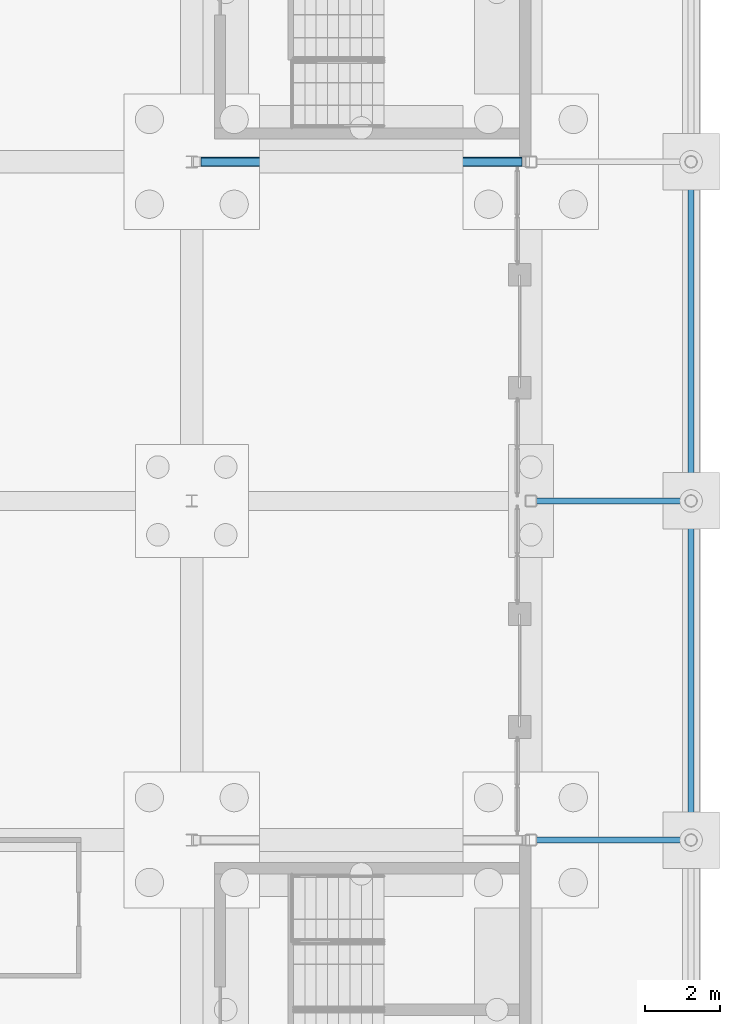
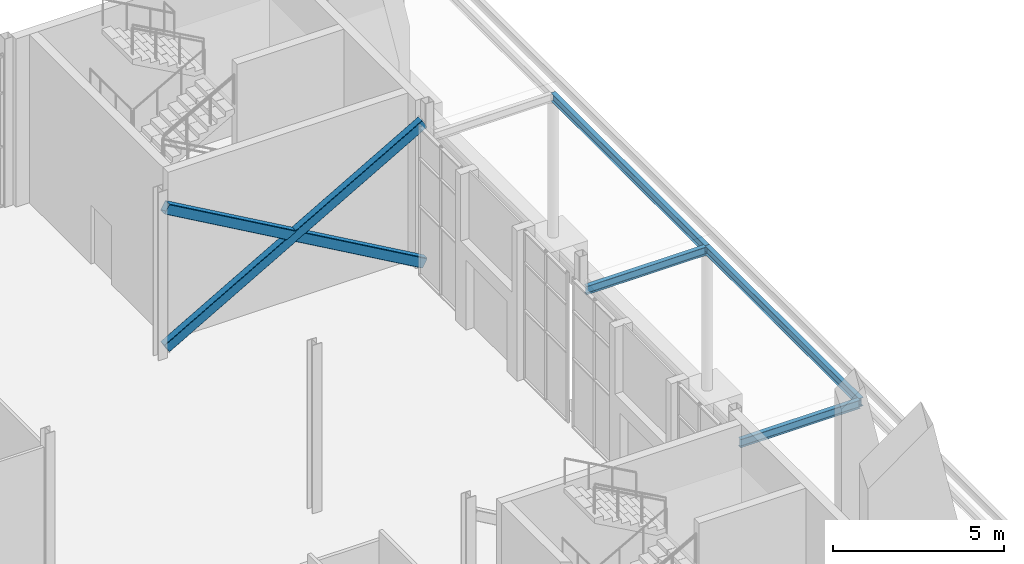
# One storey, part 87 of 139: 4 beams, 2 members.
"""IFC4 building model written with IfcOpenShell, lengths in metres."""

import ifcopenshell
import ifcopenshell.guid

model = None  # the IFC model being written
_history = None  # IfcOwnerHistory: only IFC2X3 demands one
_inside = {}  # id of a spatial element -> (the spatial element, [elements in it])
_under = {}  # id of a project, library or spatial element -> (it, [spatial elements below it])
_declared = {}  # id of a project -> (the project, [libraries it declares])
_typed = {}  # id of a type object -> (the type object, [elements of that type])
_made_of = {}  # id of a material, layer set ... -> (it, [elements and type objects made of it])


def new_model(schema):
    """Start an empty IFC model of exactly this schema.

    Asked for "IFC4X3", IfcOpenShell would pick the latest addendum, in which some entities
    have other attributes; the version numbers below select the first issue.
    IFC2X3 requires an IfcOwnerHistory on every rooted entity: one is made here for all.
    """
    global model, _history
    if schema == "IFC4X3":
        model = ifcopenshell.file(schema_version=(4, 3, 0, 0))
    else:
        model = ifcopenshell.file(schema=schema)
    _inside.clear()
    _under.clear()
    _declared.clear()
    _typed.clear()
    _made_of.clear()
    _history = None
    if model.schema == "IFC2X3":
        org = make("IfcOrganization", Name="unknown")
        user = make(
            "IfcPersonAndOrganization",
            ThePerson=make("IfcPerson", FamilyName="unknown"),
            TheOrganization=org,
        )
        app = make(
            "IfcApplication",
            ApplicationDeveloper=org,
            Version="unknown",
            ApplicationFullName="unknown",
            ApplicationIdentifier="unknown",
        )
        _history = make(
            "IfcOwnerHistory",
            OwningUser=user,
            OwningApplication=app,
            ChangeAction="ADDED",
            CreationDate=0,
        )
    return model


def make(cls, **values):
    """One entity of the class cls with the attributes given. An attribute that is None is left unset."""
    return model.create_entity(
        cls, **{name: value for name, value in values.items() if value is not None}
    )


def rooted(cls, **values):
    """An entity with a GlobalId (a new one), such as an element, a storey or a relation."""
    return make(cls, GlobalId=ifcopenshell.guid.new(), OwnerHistory=_history, **values)


def si_unit(unit_type, name, prefix=None):
    """IfcSIUnit, for example si_unit("LENGTHUNIT", "METRE", prefix="MILLI")."""
    return make("IfcSIUnit", UnitType=unit_type, Prefix=prefix, Name=name)


def assignment(units):
    """IfcUnitAssignment: the units of a project."""
    return None if units is None else make("IfcUnitAssignment", Units=units)


def point(xyz):
    """IfcCartesianPoint."""
    return None if xyz is None else make("IfcCartesianPoint", Coordinates=xyz)


def direction(xyz):
    """IfcDirection."""
    return None if xyz is None else make("IfcDirection", DirectionRatios=xyz)


def frame(location, z_axis=None, x_axis=None):
    """IfcAxis2Placement3D, a coordinate frame: its origin and axes. An axis left out is left unset."""
    return make(
        "IfcAxis2Placement3D",
        Location=point(location),
        Axis=direction(z_axis),
        RefDirection=direction(x_axis),
    )


def frame_2d(location, x_axis=None):
    """IfcAxis2Placement2D, a coordinate frame in the plane: its origin and x axis."""
    return make(
        "IfcAxis2Placement2D", Location=point(location), RefDirection=direction(x_axis)
    )


def origin():
    """The frame at (0, 0, 0) with its axes left unset."""
    return frame((0.0, 0.0, 0.0))


def origin_2d():
    """The frame at (0, 0) in the plane with its x axis left unset."""
    return frame_2d((0.0, 0.0))


def place(relative_to, where):
    """IfcLocalPlacement: puts the frame where relative to a parent placement (None: the world)."""
    return make(
        "IfcLocalPlacement", PlacementRelTo=relative_to, RelativePlacement=where
    )


def context(
    kind, dimensions, precision=None, world=None, true_north=None, identifier=None
):
    """IfcGeometricRepresentationContext, for example the 3D "Model" context."""
    return make(
        "IfcGeometricRepresentationContext",
        ContextIdentifier=identifier,
        ContextType=kind,
        CoordinateSpaceDimension=dimensions,
        Precision=precision,
        WorldCoordinateSystem=world,
        TrueNorth=true_north,
    )


def subcontext(parent, identifier, kind, view, scale=None):
    """IfcGeometricRepresentationSubContext, for example "Body" below "Model"."""
    return make(
        "IfcGeometricRepresentationSubContext",
        ContextIdentifier=identifier,
        ContextType=kind,
        ParentContext=parent,
        TargetScale=scale,
        TargetView=view,
    )


def project(units=None, contexts=None):
    """IfcProject with its units and contexts."""
    return rooted(
        "IfcProject",
        Name="project",
        RepresentationContexts=contexts,
        UnitsInContext=assignment(units),
    )


def spatial(cls, under=None, at=None, **own):
    """A site, building, storey or space (cls), placed at a placement, below another one or the project."""
    s = rooted(cls, ObjectPlacement=at, **own)
    if under is not None:
        _under.setdefault(under.id(), (under, []))[1].append(s)
    return s


def profile(cls, at=None, kind="AREA", **sizes):
    """A parametric profile (cls). Its sizes go by their IFC names, for example OverallWidth=200.0."""
    return make(cls, ProfileType=kind, Position=at, **sizes)


def hollow_rectangle(**sizes):
    """IfcRectangleHollowProfileDef."""
    return profile("IfcRectangleHollowProfileDef", **sizes)


def i_section(**sizes):
    """IfcIShapeProfileDef."""
    return profile("IfcIShapeProfileDef", **sizes)


def extrude(swept, where, along, depth):
    """IfcExtrudedAreaSolid: the profile swept, set in the frame where, extruded along a direction by depth."""
    return make(
        "IfcExtrudedAreaSolid",
        SweptArea=swept,
        Position=where,
        ExtrudedDirection=direction(along),
        Depth=depth,
    )


def shape(context_of_items, identifier, shape_type, items):
    """IfcShapeRepresentation: the items that make up one representation, for example the "Body"."""
    return make(
        "IfcShapeRepresentation",
        ContextOfItems=context_of_items,
        RepresentationIdentifier=identifier,
        RepresentationType=shape_type,
        Items=items,
    )


def material(Name=None, Category=None):
    """IfcMaterial."""
    return make("IfcMaterial", Name=Name, Category=Category)


def material_profile(
    of_material, cross_section, Name=None, Category=None, Priority=None
):
    """IfcMaterialProfile: a cross section and its material."""
    return make(
        "IfcMaterialProfile",
        Name=Name,
        Material=of_material,
        Profile=cross_section,
        Priority=Priority,
        Category=Category,
    )


def profile_set(profiles, Name=None, composite=None):
    """IfcMaterialProfileSet."""
    return make(
        "IfcMaterialProfileSet",
        Name=Name,
        MaterialProfiles=profiles,
        CompositeProfile=composite,
    )


def made_of(thing, what):
    """Note that an element or type object is made of a material, layer set ...; save() writes the relation."""
    if what is not None:
        _made_of.setdefault(what.id(), (what, []))[1].append(thing)
    return thing


def type_object(cls, material=None, **own):
    """A type object (cls), such as IfcWallType, which elements share."""
    return made_of(rooted(cls, **own), material)


def element(
    cls,
    number,
    at=None,
    inside=None,
    cuts=None,
    type_object=None,
    material=None,
    context=None,
    identifier="Body",
    shape_type=None,
    held_by="IfcProductDefinitionShape",
    body=None,
    shapes=None,
    **own,
):
    """One element of the class cls, such as IfcWall. Its Tag is "e" and its number.

    at: its placement. inside: the storey or other place that contains it. cuts: it is an
    opening in that element (IfcRelVoidsElement). A single representation is given by context,
    identifier, shape_type and body (its items); several are given by shapes. held_by: the class
    of the entity that holds the representations. save() writes the other relations.
    """
    e = rooted(cls, Tag="e%d" % number, ObjectPlacement=at, **own)
    if body is not None:
        shapes = [shape(context, identifier, shape_type, body)]
    if shapes is not None:
        e.Representation = make(held_by, Representations=shapes)
    if inside is not None:
        _inside.setdefault(inside.id(), (inside, []))[1].append(e)
    if cuts is not None:
        rooted(
            "IfcRelVoidsElement", RelatingBuildingElement=cuts, RelatedOpeningElement=e
        )
    if type_object is not None:
        _typed.setdefault(type_object.id(), (type_object, []))[1].append(e)
    return made_of(e, material)


def aggregate(whole, parts):
    """IfcRelAggregates: a whole, such as a stair, and the parts it consists of."""
    return rooted("IfcRelAggregates", RelatingObject=whole, RelatedObjects=parts)


def save(model, path):
    """Write the relations noted so far, then the file.

    IfcRelAggregates (storeys below a building ...), IfcRelContainedInSpatialStructure (elements
    in a storey), IfcRelDefinesByType, IfcRelAssociatesMaterial and IfcRelDeclares: one each for
    every whole, place, type object, material and project.
    """
    for whole, parts in _under.values():
        aggregate(whole, parts)
    for where, things in _inside.values():
        rooted(
            "IfcRelContainedInSpatialStructure",
            RelatedElements=things,
            RelatingStructure=where,
        )
    for kind, things in _typed.values():
        rooted("IfcRelDefinesByType", RelatedObjects=things, RelatingType=kind)
    for what, things in _made_of.values():
        rooted("IfcRelAssociatesMaterial", RelatedObjects=things, RelatingMaterial=what)
    for by, libraries in _declared.values():
        rooted("IfcRelDeclares", RelatingContext=by, RelatedDefinitions=libraries)
    model.write(path)


model = new_model("IFC4")

# Units and contexts
model_context = context("Model", 3, precision=1e-05, world=origin(), true_north=direction((0.0, 1.0)))
body_context = subcontext(model_context, "Body", "Model", "MODEL_VIEW")
ifc_project = project(units=[si_unit("LENGTHUNIT", "METRE"), si_unit("AREAUNIT", "SQUARE_METRE"), si_unit("VOLUMEUNIT", "CUBIC_METRE"), si_unit("PLANEANGLEUNIT", "RADIAN"), si_unit("MASSUNIT", "GRAM", prefix="KILO")], contexts=[model_context])

# Site, building, storey
site_placement = place(None, origin())
site = spatial("IfcSite", under=ifc_project, at=site_placement, CompositionType="ELEMENT")
building_placement = place(site_placement, origin())
building = spatial("IfcBuilding", under=site, at=building_placement, Name="Shorebreak Coast Museum", CompositionType="ELEMENT")
storey_placement = place(building_placement, origin())
storey = spatial("IfcBuildingStorey", under=building, at=storey_placement, Name="L00", CompositionType="ELEMENT", Elevation=0.0)

# Beams
ifc_material_1 = material(Name="Steel Grade 300", Category="steel")
ifc_material_profile_1 = material_profile(ifc_material_1, i_section(OverallWidth=0.14892578125, OverallDepth=0.298095703125, WebThickness=0.005615234375, FlangeThickness=0.008056640625, FilletRadius=0.012939453125, at=origin_2d()), Name="310UB32.0")
ifc_profile_set_1 = profile_set([ifc_material_profile_1], Name="Steel Grade 300")
beam_type_1 = type_object("IfcBeamType", Name="Arcade edge beam 310UB32.0", PredefinedType="BEAM", material=ifc_profile_set_1)
for number, where, z_axis, x_axis, name in (
    (1, (175.25, 63.0, 4.65087890625), (0.0, 1.0, 0.0), (-1.0, 0.0, 0.0), "Arcade edge beam east 2"),
    (2, (175.25, 72.0, 4.65087890625), (0.0, 1.0, 0.0), (-1.0, 0.0, 0.0), "Arcade edge beam east 3"),
):
    element("IfcBeam", number, at=place(storey_placement, frame(where, z_axis=z_axis, x_axis=x_axis)), inside=storey, type_object=beam_type_1, Name=name, PredefinedType="BEAM", context=body_context, shape_type="SweptSolid", body=[
        extrude(i_section(OverallWidth=0.14892578125, OverallDepth=0.298095703125, WebThickness=0.005615234375, FlangeThickness=0.008056640625, FilletRadius=0.012939453125, at=origin_2d()), origin(), (0.0, 0.0, 1.0), 9.0),
    ])
ifc_material_2 = material(Name="Steel Grade 300", Category="steel")
ifc_material_profile_2 = material_profile(ifc_material_2, i_section(OverallWidth=0.14892578125, OverallDepth=0.298095703125, WebThickness=0.005615234375, FlangeThickness=0.008056640625, FilletRadius=0.012939453125, at=origin_2d()), Name="310UB32.0")
ifc_profile_set_2 = profile_set([ifc_material_profile_2], Name="Steel Grade 300")
beam_type_2 = type_object("IfcBeamType", Name="Arcade primary beam 310UB32.0", PredefinedType="BEAM", material=ifc_profile_set_2)
for number, where, z_axis, x_axis, name in (
    (3, (171.14990234375, 63.0, 4.65087890625), (1.0, 0.0, 0.0), (0.0, 1.0, 0.0), "Arcade primary beam east 2"),
    (4, (171.14990234375, 72.0, 4.65087890625), (1.0, 0.0, 0.0), (0.0, 1.0, 0.0), "Arcade primary beam east 3"),
):
    element("IfcBeam", number, at=place(storey_placement, frame(where, z_axis=z_axis, x_axis=x_axis)), inside=storey, type_object=beam_type_2, Name=name, PredefinedType="BEAM", context=body_context, shape_type="SweptSolid", body=[
        extrude(i_section(OverallWidth=0.14892578125, OverallDepth=0.298095703125, WebThickness=0.005615234375, FlangeThickness=0.008056640625, FilletRadius=0.012939453125, at=origin_2d()), origin(), (0.0, 0.0, 1.0), 4.025634765625),
    ])

# Members
ifc_material_3 = material(Name="Steel Grade C450L0", Category="steel")
ifc_material_profile_3 = material_profile(ifc_material_3, hollow_rectangle(XDim=0.25, YDim=0.35009765625, WallThickness=0.012451171875, InnerFilletRadius=0.018798828125, OuterFilletRadius=0.03125, at=origin_2d()), Name="350x250x12.5 RHS")
ifc_profile_set_3 = profile_set([ifc_material_profile_3], Name="Steel Grade C450L0")
member_type = type_object("IfcMemberType", Name="X-brace 350x250x12.5 RHS", PredefinedType="BRACE", material=ifc_profile_set_3)
for number, where, z_axis, x_axis, name in (
    (5, (162.154541015625, 81.0, 0.300048828125), (0.86798657867, 0.0, 0.496587655152), (0.0, 1.0, 0.0), "X-brace bay 08 L00 diagonal 1"),
    (6, (170.85009765625, 81.0, 0.300048828125), (-0.86798657867, 0.0, 0.496587655152), (0.0, -1.0, 0.0), "X-brace bay 08 L00 diagonal 2"),
):
    element("IfcMember", number, at=place(storey_placement, frame(where, z_axis=z_axis, x_axis=x_axis)), inside=storey, type_object=member_type, Name=name, PredefinedType="BRACE", context=body_context, shape_type="SweptSolid", body=[
        extrude(hollow_rectangle(XDim=0.25, YDim=0.35009765625, WallThickness=0.012451171875, InnerFilletRadius=0.018798828125, OuterFilletRadius=0.03125, at=origin_2d()), origin(), (0.0, 0.0, 1.0), 10.01806640625),
    ])

save(model, "model.ifc")
